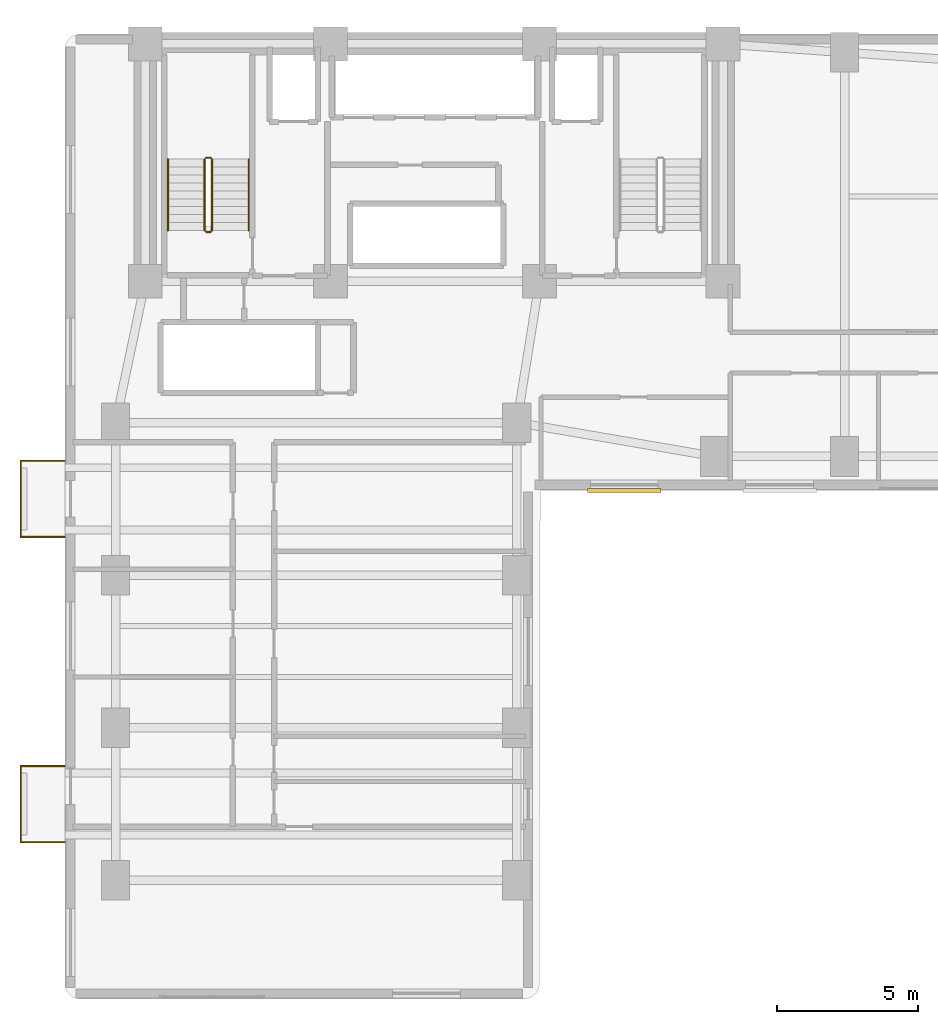
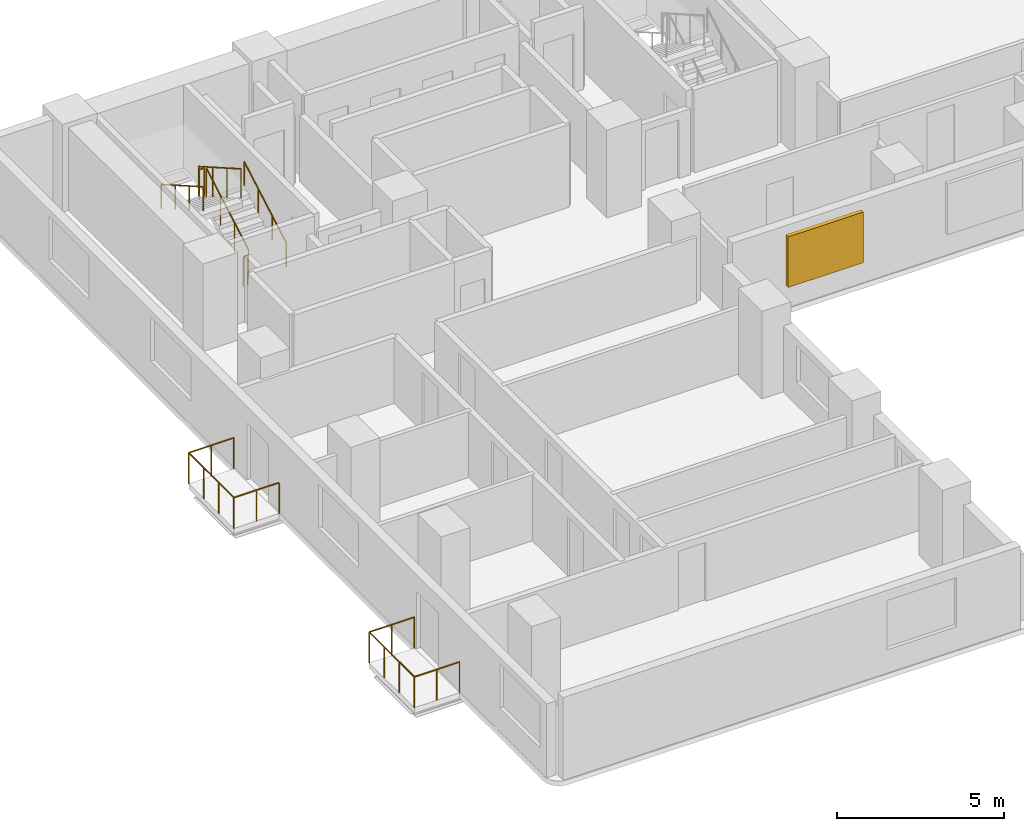
# One storey, part 14 of 17: 12 railings, 1 shading device.
"""IFC4 building model written with IfcOpenShell, lengths in metres."""

import ifcopenshell
import ifcopenshell.guid

model = None  # the IFC model being written
_history = None  # IfcOwnerHistory: only IFC2X3 demands one
_inside = {}  # id of a spatial element -> (the spatial element, [elements in it])
_under = {}  # id of a project, library or spatial element -> (it, [spatial elements below it])
_declared = {}  # id of a project -> (the project, [libraries it declares])
_typed = {}  # id of a type object -> (the type object, [elements of that type])
_made_of = {}  # id of a material, layer set ... -> (it, [elements and type objects made of it])


def new_model(schema):
    """Start an empty IFC model of exactly this schema.

    Asked for "IFC4X3", IfcOpenShell would pick the latest addendum, in which some entities
    have other attributes; the version numbers below select the first issue.
    IFC2X3 requires an IfcOwnerHistory on every rooted entity: one is made here for all.
    """
    global model, _history
    if schema == "IFC4X3":
        model = ifcopenshell.file(schema_version=(4, 3, 0, 0))
    else:
        model = ifcopenshell.file(schema=schema)
    _inside.clear()
    _under.clear()
    _declared.clear()
    _typed.clear()
    _made_of.clear()
    _history = None
    if model.schema == "IFC2X3":
        org = make("IfcOrganization", Name="unknown")
        user = make(
            "IfcPersonAndOrganization",
            ThePerson=make("IfcPerson", FamilyName="unknown"),
            TheOrganization=org,
        )
        app = make(
            "IfcApplication",
            ApplicationDeveloper=org,
            Version="unknown",
            ApplicationFullName="unknown",
            ApplicationIdentifier="unknown",
        )
        _history = make(
            "IfcOwnerHistory",
            OwningUser=user,
            OwningApplication=app,
            ChangeAction="ADDED",
            CreationDate=0,
        )
    return model


def make(cls, **values):
    """One entity of the class cls with the attributes given. An attribute that is None is left unset."""
    return model.create_entity(
        cls, **{name: value for name, value in values.items() if value is not None}
    )


def rooted(cls, **values):
    """An entity with a GlobalId (a new one), such as an element, a storey or a relation."""
    return make(cls, GlobalId=ifcopenshell.guid.new(), OwnerHistory=_history, **values)


def si_unit(unit_type, name, prefix=None):
    """IfcSIUnit, for example si_unit("LENGTHUNIT", "METRE", prefix="MILLI")."""
    return make("IfcSIUnit", UnitType=unit_type, Prefix=prefix, Name=name)


def assignment(units):
    """IfcUnitAssignment: the units of a project."""
    return None if units is None else make("IfcUnitAssignment", Units=units)


def point(xyz):
    """IfcCartesianPoint."""
    return None if xyz is None else make("IfcCartesianPoint", Coordinates=xyz)


def direction(xyz):
    """IfcDirection."""
    return None if xyz is None else make("IfcDirection", DirectionRatios=xyz)


def frame(location, z_axis=None, x_axis=None):
    """IfcAxis2Placement3D, a coordinate frame: its origin and axes. An axis left out is left unset."""
    return make(
        "IfcAxis2Placement3D",
        Location=point(location),
        Axis=direction(z_axis),
        RefDirection=direction(x_axis),
    )


def frame_2d(location, x_axis=None):
    """IfcAxis2Placement2D, a coordinate frame in the plane: its origin and x axis."""
    return make(
        "IfcAxis2Placement2D", Location=point(location), RefDirection=direction(x_axis)
    )


def origin():
    """The frame at (0, 0, 0) with its axes left unset."""
    return frame((0.0, 0.0, 0.0))


def origin_2d():
    """The frame at (0, 0) in the plane with its x axis left unset."""
    return frame_2d((0.0, 0.0))


def place(relative_to, where):
    """IfcLocalPlacement: puts the frame where relative to a parent placement (None: the world)."""
    return make(
        "IfcLocalPlacement", PlacementRelTo=relative_to, RelativePlacement=where
    )


def context(
    kind, dimensions, precision=None, world=None, true_north=None, identifier=None
):
    """IfcGeometricRepresentationContext, for example the 3D "Model" context."""
    return make(
        "IfcGeometricRepresentationContext",
        ContextIdentifier=identifier,
        ContextType=kind,
        CoordinateSpaceDimension=dimensions,
        Precision=precision,
        WorldCoordinateSystem=world,
        TrueNorth=true_north,
    )


def subcontext(parent, identifier, kind, view, scale=None):
    """IfcGeometricRepresentationSubContext, for example "Body" below "Model"."""
    return make(
        "IfcGeometricRepresentationSubContext",
        ContextIdentifier=identifier,
        ContextType=kind,
        ParentContext=parent,
        TargetScale=scale,
        TargetView=view,
    )


def project(units=None, contexts=None):
    """IfcProject with its units and contexts."""
    return rooted(
        "IfcProject",
        Name="project",
        RepresentationContexts=contexts,
        UnitsInContext=assignment(units),
    )


def spatial(cls, under=None, at=None, **own):
    """A site, building, storey or space (cls), placed at a placement, below another one or the project."""
    s = rooted(cls, ObjectPlacement=at, **own)
    if under is not None:
        _under.setdefault(under.id(), (under, []))[1].append(s)
    return s


def profile(cls, at=None, kind="AREA", **sizes):
    """A parametric profile (cls). Its sizes go by their IFC names, for example OverallWidth=200.0."""
    return make(cls, ProfileType=kind, Position=at, **sizes)


def rectangle(**sizes):
    """IfcRectangleProfileDef."""
    return profile("IfcRectangleProfileDef", **sizes)


def circle(**sizes):
    """IfcCircleProfileDef."""
    return profile("IfcCircleProfileDef", **sizes)


def extrude(swept, where, along, depth):
    """IfcExtrudedAreaSolid: the profile swept, set in the frame where, extruded along a direction by depth."""
    return make(
        "IfcExtrudedAreaSolid",
        SweptArea=swept,
        Position=where,
        ExtrudedDirection=direction(along),
        Depth=depth,
    )


def shape(context_of_items, identifier, shape_type, items):
    """IfcShapeRepresentation: the items that make up one representation, for example the "Body"."""
    return make(
        "IfcShapeRepresentation",
        ContextOfItems=context_of_items,
        RepresentationIdentifier=identifier,
        RepresentationType=shape_type,
        Items=items,
    )


def material(Name=None, Category=None):
    """IfcMaterial."""
    return make("IfcMaterial", Name=Name, Category=Category)


def layer(
    of_material, thickness, ventilated=None, Name=None, Category=None, Priority=None
):
    """IfcMaterialLayer: one layer of a wall or slab, of a material (None: an air gap)."""
    return make(
        "IfcMaterialLayer",
        Material=of_material,
        LayerThickness=thickness,
        IsVentilated=ventilated,
        Name=Name,
        Category=Category,
        Priority=Priority,
    )


def layer_set(layers, Name=None):
    """IfcMaterialLayerSet."""
    return make("IfcMaterialLayerSet", MaterialLayers=layers, LayerSetName=Name)


def made_of(thing, what):
    """Note that an element or type object is made of a material, layer set ...; save() writes the relation."""
    if what is not None:
        _made_of.setdefault(what.id(), (what, []))[1].append(thing)
    return thing


def type_object(cls, material=None, **own):
    """A type object (cls), such as IfcWallType, which elements share."""
    return made_of(rooted(cls, **own), material)


def element(
    cls,
    number,
    at=None,
    inside=None,
    cuts=None,
    type_object=None,
    material=None,
    context=None,
    identifier="Body",
    shape_type=None,
    held_by="IfcProductDefinitionShape",
    body=None,
    shapes=None,
    **own,
):
    """One element of the class cls, such as IfcWall. Its Tag is "e" and its number.

    at: its placement. inside: the storey or other place that contains it. cuts: it is an
    opening in that element (IfcRelVoidsElement). A single representation is given by context,
    identifier, shape_type and body (its items); several are given by shapes. held_by: the class
    of the entity that holds the representations. save() writes the other relations.
    """
    e = rooted(cls, Tag="e%d" % number, ObjectPlacement=at, **own)
    if body is not None:
        shapes = [shape(context, identifier, shape_type, body)]
    if shapes is not None:
        e.Representation = make(held_by, Representations=shapes)
    if inside is not None:
        _inside.setdefault(inside.id(), (inside, []))[1].append(e)
    if cuts is not None:
        rooted(
            "IfcRelVoidsElement", RelatingBuildingElement=cuts, RelatedOpeningElement=e
        )
    if type_object is not None:
        _typed.setdefault(type_object.id(), (type_object, []))[1].append(e)
    return made_of(e, material)


def aggregate(whole, parts):
    """IfcRelAggregates: a whole, such as a stair, and the parts it consists of."""
    return rooted("IfcRelAggregates", RelatingObject=whole, RelatedObjects=parts)


def save(model, path):
    """Write the relations noted so far, then the file.

    IfcRelAggregates (storeys below a building ...), IfcRelContainedInSpatialStructure (elements
    in a storey), IfcRelDefinesByType, IfcRelAssociatesMaterial and IfcRelDeclares: one each for
    every whole, place, type object, material and project.
    """
    for whole, parts in _under.values():
        aggregate(whole, parts)
    for where, things in _inside.values():
        rooted(
            "IfcRelContainedInSpatialStructure",
            RelatedElements=things,
            RelatingStructure=where,
        )
    for kind, things in _typed.values():
        rooted("IfcRelDefinesByType", RelatedObjects=things, RelatingType=kind)
    for what, things in _made_of.values():
        rooted("IfcRelAssociatesMaterial", RelatedObjects=things, RelatingMaterial=what)
    for by, libraries in _declared.values():
        rooted("IfcRelDeclares", RelatingContext=by, RelatedDefinitions=libraries)
    model.write(path)


model = new_model("IFC4")

# Units and contexts
model_context = context("Model", 3, precision=1e-05, world=origin(), true_north=direction((0.0, 1.0)))
body_context = subcontext(model_context, "Body", "Model", "MODEL_VIEW")
ifc_project = project(units=[si_unit("LENGTHUNIT", "METRE"), si_unit("AREAUNIT", "SQUARE_METRE"), si_unit("VOLUMEUNIT", "CUBIC_METRE"), si_unit("PLANEANGLEUNIT", "RADIAN"), si_unit("MASSUNIT", "GRAM", prefix="KILO")], contexts=[model_context])

# Site, building, storey
site_placement = place(None, origin())
site = spatial("IfcSite", under=ifc_project, at=site_placement, CompositionType="ELEMENT")
building_placement = place(site_placement, origin())
building = spatial("IfcBuilding", under=site, at=building_placement, Name="Kuzgunbayir Cultural Tower", CompositionType="ELEMENT")
storey_placement = place(building_placement, frame((0.0, 0.0, 50.0)))
storey = spatial("IfcBuildingStorey", under=building, at=storey_placement, Name="L13", CompositionType="ELEMENT", Elevation=50.0)

# Railings
ifc_material_1 = material(Name="Laminated Glass and Stainless Steel", Category="steel")
ifc_layer_1 = layer(ifc_material_1, 0.080078125)
ifc_layer_set_1 = layer_set([ifc_layer_1], Name="Laminated Glass and Stainless Steel")
railing_type_1 = type_object("IfcRailingType", Name="RLG-BAL-115", PredefinedType="BALUSTRADE", material=ifc_layer_set_1)
railing_1_placement = place(storey_placement, frame((3.60009765625, 13.949951171875, 0.0)))
element("IfcRailing", 1, at=railing_1_placement, inside=storey, type_object=railing_type_1, Name="L13 Balcony Guard BAL-L13-WA1 Segment 1", PredefinedType="BALUSTRADE", context=body_context, shape_type="SweptSolid", body=[
    extrude(circle(Radius=0.02392578125, at=origin_2d()), frame((0.0, 0.0, 1.1259765625), z_axis=(-1.0, 0.0, 0.0), x_axis=(0.0, -1.0, 0.0)), (0.0, 0.0, 1.0), 1.56005859375),
    extrude(circle(Radius=0.02099609375, at=origin_2d()), origin(), (0.0, 0.0, 1.0), 1.101806640625),
    extrude(circle(Radius=0.02099609375, at=origin_2d()), frame((-0.780029296875, 0.0, 0.0)), (0.0, 0.0, 1.0), 1.101806640625),
    extrude(circle(Radius=0.02099609375, at=origin_2d()), frame((-1.56005859375, 0.0, 0.0)), (0.0, 0.0, 1.0), 1.101806640625),
])
railing_2_placement = place(storey_placement, frame((2.0400390625, 13.949951171875, 0.0)))
element("IfcRailing", 2, at=railing_2_placement, inside=storey, type_object=railing_type_1, Name="L13 Balcony Guard BAL-L13-WA1 Segment 2", PredefinedType="BALUSTRADE", context=body_context, shape_type="SweptSolid", body=[
    extrude(circle(Radius=0.02392578125, at=origin_2d()), frame((0.0, 0.0, 1.1259765625), z_axis=(0.0, 1.0, 0.0), x_axis=(-1.0, 0.0, 0.0)), (0.0, 0.0, 1.0), 2.699951171875),
    extrude(circle(Radius=0.02099609375, at=origin_2d()), origin(), (0.0, 0.0, 1.0), 1.101806640625),
    extrude(circle(Radius=0.02099609375, at=origin_2d()), frame((0.0, 0.89990234375, 0.0)), (0.0, 0.0, 1.0), 1.101806640625),
    extrude(circle(Radius=0.02099609375, at=origin_2d()), frame((0.0, 1.800048828125, 0.0)), (0.0, 0.0, 1.0), 1.101806640625),
    extrude(circle(Radius=0.02099609375, at=origin_2d()), frame((0.0, 2.699951171875, 0.0)), (0.0, 0.0, 1.0), 1.101806640625),
])
railing_3_placement = place(storey_placement, frame((2.0400390625, 16.64990234375, 0.0)))
element("IfcRailing", 3, at=railing_3_placement, inside=storey, type_object=railing_type_1, Name="L13 Balcony Guard BAL-L13-WA1 Segment 3", PredefinedType="BALUSTRADE", context=body_context, shape_type="SweptSolid", body=[
    extrude(circle(Radius=0.02392578125, at=origin_2d()), frame((0.0, 0.0, 1.1259765625), z_axis=(1.0, 0.0, 0.0), x_axis=(0.0, 1.0, 0.0)), (0.0, 0.0, 1.0), 1.56005859375),
    extrude(circle(Radius=0.02099609375, at=origin_2d()), origin(), (0.0, 0.0, 1.0), 1.101806640625),
    extrude(circle(Radius=0.02099609375, at=origin_2d()), frame((0.780029296875, 0.0, 0.0)), (0.0, 0.0, 1.0), 1.101806640625),
    extrude(circle(Radius=0.02099609375, at=origin_2d()), frame((1.56005859375, 0.0, 0.0)), (0.0, 0.0, 1.0), 1.101806640625),
])
railing_4_placement = place(storey_placement, frame((3.60009765625, 24.75, 0.0)))
element("IfcRailing", 4, at=railing_4_placement, inside=storey, type_object=railing_type_1, Name="L13 Balcony Guard BAL-L13-WA3 Segment 1", PredefinedType="BALUSTRADE", context=body_context, shape_type="SweptSolid", body=[
    extrude(circle(Radius=0.02392578125, at=origin_2d()), frame((0.0, 0.0, 1.1259765625), z_axis=(-1.0, 0.0, 0.0), x_axis=(0.0, -1.0, 0.0)), (0.0, 0.0, 1.0), 1.56005859375),
    extrude(circle(Radius=0.02099609375, at=origin_2d()), origin(), (0.0, 0.0, 1.0), 1.101806640625),
    extrude(circle(Radius=0.02099609375, at=origin_2d()), frame((-0.780029296875, 0.0, 0.0)), (0.0, 0.0, 1.0), 1.101806640625),
    extrude(circle(Radius=0.02099609375, at=origin_2d()), frame((-1.56005859375, 0.0, 0.0)), (0.0, 0.0, 1.0), 1.101806640625),
])
railing_5_placement = place(storey_placement, frame((2.0400390625, 24.75, 0.0)))
element("IfcRailing", 5, at=railing_5_placement, inside=storey, type_object=railing_type_1, Name="L13 Balcony Guard BAL-L13-WA3 Segment 2", PredefinedType="BALUSTRADE", context=body_context, shape_type="SweptSolid", body=[
    extrude(circle(Radius=0.02392578125, at=origin_2d()), frame((0.0, 0.0, 1.1259765625), z_axis=(0.0, 1.0, 0.0), x_axis=(-1.0, 0.0, 0.0)), (0.0, 0.0, 1.0), 2.699951171875),
    extrude(circle(Radius=0.02099609375, at=origin_2d()), origin(), (0.0, 0.0, 1.0), 1.101806640625),
    extrude(circle(Radius=0.02099609375, at=origin_2d()), frame((0.0, 0.89990234375, 0.0)), (0.0, 0.0, 1.0), 1.101806640625),
    extrude(circle(Radius=0.02099609375, at=origin_2d()), frame((0.0, 1.800048828125, 0.0)), (0.0, 0.0, 1.0), 1.101806640625),
    extrude(circle(Radius=0.02099609375, at=origin_2d()), frame((0.0, 2.699951171875, 0.0)), (0.0, 0.0, 1.0), 1.101806640625),
])
railing_6_placement = place(storey_placement, frame((2.0400390625, 27.449951171875, 0.0)))
element("IfcRailing", 6, at=railing_6_placement, inside=storey, type_object=railing_type_1, Name="L13 Balcony Guard BAL-L13-WA3 Segment 3", PredefinedType="BALUSTRADE", context=body_context, shape_type="SweptSolid", body=[
    extrude(circle(Radius=0.02392578125, at=origin_2d()), frame((0.0, 0.0, 1.1259765625), z_axis=(1.0, 0.0, 0.0), x_axis=(0.0, 1.0, 0.0)), (0.0, 0.0, 1.0), 1.56005859375),
    extrude(circle(Radius=0.02099609375, at=origin_2d()), origin(), (0.0, 0.0, 1.0), 1.101806640625),
    extrude(circle(Radius=0.02099609375, at=origin_2d()), frame((0.780029296875, 0.0, 0.0)), (0.0, 0.0, 1.0), 1.101806640625),
    extrude(circle(Radius=0.02099609375, at=origin_2d()), frame((1.56005859375, 0.0, 0.0)), (0.0, 0.0, 1.0), 1.101806640625),
])
ifc_material_2 = material(Name="Brushed Stainless Steel", Category="steel")
ifc_layer_2 = layer(ifc_material_2, 0.050048828125)
ifc_layer_set_2 = layer_set([ifc_layer_2], Name="Brushed Stainless Steel")
railing_type_2 = type_object("IfcRailingType", Name="RLG-STAIR-HANDRAIL", PredefinedType="HANDRAIL", material=ifc_layer_set_2)
railing_7_placement = place(storey_placement, frame((10.110107421875, 35.60009765625, 0.159912109375)))
element("IfcRailing", 7, at=railing_7_placement, inside=storey, type_object=railing_type_2, Name="L13 ST-1 stair handrail 1", PredefinedType="HANDRAIL", context=body_context, shape_type="SweptSolid", body=[
    extrude(circle(Radius=0.02392578125, at=origin_2d()), frame((0.0, 0.0, 0.8759765625), z_axis=(0.0, 0.868217259934, 0.496184229447), x_axis=(-1.0, 0.0, 0.0)), (0.0, 0.0, 1.0), 2.902587890625),
    extrude(circle(Radius=0.02099609375, at=origin_2d()), origin(), (0.0, 0.0, 1.0), 0.851806640625),
    extrude(circle(Radius=0.02099609375, at=origin_2d()), frame((0.0, 0.840087890625, 0.47998046875)), (0.0, 0.0, 1.0), 0.851806640625),
    extrude(circle(Radius=0.02099609375, at=origin_2d()), frame((0.0, 1.679931640625, 0.960205078125)), (0.0, 0.0, 1.0), 0.851806640625),
    extrude(circle(Radius=0.02099609375, at=origin_2d()), frame((0.0, 2.52001953125, 1.440185546875)), (0.0, 0.0, 1.0), 0.851806640625),
])
railing_8_placement = place(storey_placement, frame((7.25, 38.1201171875, 1.760009765625)))
element("IfcRailing", 8, at=railing_8_placement, inside=storey, type_object=railing_type_2, Name="L13 ST-1 stair handrail 2", PredefinedType="HANDRAIL", context=body_context, shape_type="SweptSolid", body=[
    extrude(circle(Radius=0.02392578125, at=origin_2d()), frame((0.0, 0.0, 0.8759765625), z_axis=(0.0, -0.868253494771, 0.496120820787), x_axis=(1.0, 0.0, 0.0)), (0.0, 0.0, 1.0), 2.90234375),
    extrude(circle(Radius=0.02099609375, at=origin_2d()), origin(), (0.0, 0.0, 1.0), 0.851806640625),
    extrude(circle(Radius=0.02099609375, at=origin_2d()), frame((0.0, -0.840087890625, 0.47998046875)), (0.0, 0.0, 1.0), 0.851806640625),
    extrude(circle(Radius=0.02099609375, at=origin_2d()), frame((0.0, -1.679931640625, 0.9599609375)), (0.0, 0.0, 1.0), 0.851806640625),
    extrude(circle(Radius=0.02099609375, at=origin_2d()), frame((0.0, -2.52001953125, 1.43994140625)), (0.0, 0.0, 1.0), 0.851806640625),
])
ifc_material_3 = material(Name="Painted Steel Balustrade", Category="steel")
ifc_layer_3 = layer(ifc_material_3, 0.06005859375)
ifc_layer_set_3 = layer_set([ifc_layer_3], Name="Painted Steel Balustrade")
railing_type_3 = type_object("IfcRailingType", Name="RLG-WELL-GUARD", PredefinedType="GUARDRAIL", material=ifc_layer_set_3)
railing_9_placement = place(storey_placement, frame((8.81005859375, 35.60009765625, 0.159912109375)))
element("IfcRailing", 9, at=railing_9_placement, inside=storey, type_object=railing_type_3, Name="L13 ST-1 stair guard 1", PredefinedType="GUARDRAIL", context=body_context, shape_type="SweptSolid", body=[
    extrude(circle(Radius=0.02392578125, at=origin_2d()), frame((0.0, 0.0, 1.076171875), z_axis=(0.0, 0.868217259934, 0.496184229447), x_axis=(-1.0, 0.0, 0.0)), (0.0, 0.0, 1.0), 2.902587890625),
    extrude(circle(Radius=0.02099609375, at=origin_2d()), origin(), (0.0, 0.0, 1.0), 1.052001953125),
    extrude(circle(Radius=0.02099609375, at=origin_2d()), frame((0.0, 0.840087890625, 0.47998046875)), (0.0, 0.0, 1.0), 1.052001953125),
    extrude(circle(Radius=0.02099609375, at=origin_2d()), frame((0.0, 1.679931640625, 0.960205078125)), (0.0, 0.0, 1.0), 1.052001953125),
    extrude(circle(Radius=0.02099609375, at=origin_2d()), frame((0.0, 2.52001953125, 1.440185546875)), (0.0, 0.0, 1.0), 1.052001953125),
])
railing_10_placement = place(storey_placement, frame((8.760009765625, 38.169921875, 1.60009765625)))
element("IfcRailing", 10, at=railing_10_placement, inside=storey, type_object=railing_type_3, Name="L13 ST-1 stair guard 2", PredefinedType="GUARDRAIL", context=body_context, shape_type="SweptSolid", body=[
    extrude(circle(Radius=0.02392578125, at=origin_2d()), frame((0.0, 0.0, 1.076171875), z_axis=(-1.0, 0.0, 0.0), x_axis=(0.0, -1.0, 0.0)), (0.0, 0.0, 1.0), 0.159912109375),
    extrude(circle(Radius=0.02099609375, at=origin_2d()), origin(), (0.0, 0.0, 1.0), 1.052001953125),
    extrude(circle(Radius=0.02099609375, at=origin_2d()), frame((-0.159912109375, 0.0, 0.0)), (0.0, 0.0, 1.0), 1.052001953125),
])
railing_11_placement = place(storey_placement, frame((8.550048828125, 38.1201171875, 1.760009765625)))
element("IfcRailing", 11, at=railing_11_placement, inside=storey, type_object=railing_type_3, Name="L13 ST-1 stair guard 3", PredefinedType="GUARDRAIL", context=body_context, shape_type="SweptSolid", body=[
    extrude(circle(Radius=0.02392578125, at=origin_2d()), frame((0.0, 0.0, 1.076171875), z_axis=(0.0, -0.868253494771, 0.496120820787), x_axis=(1.0, 0.0, 0.0)), (0.0, 0.0, 1.0), 2.90234375),
    extrude(circle(Radius=0.02099609375, at=origin_2d()), origin(), (0.0, 0.0, 1.0), 1.052001953125),
    extrude(circle(Radius=0.02099609375, at=origin_2d()), frame((0.0, -0.840087890625, 0.47998046875)), (0.0, 0.0, 1.0), 1.052001953125),
    extrude(circle(Radius=0.02099609375, at=origin_2d()), frame((0.0, -1.679931640625, 0.9599609375)), (0.0, 0.0, 1.0), 1.052001953125),
    extrude(circle(Radius=0.02099609375, at=origin_2d()), frame((0.0, -2.52001953125, 1.43994140625)), (0.0, 0.0, 1.0), 1.052001953125),
])
railing_12_placement = place(storey_placement, frame((8.760009765625, 35.550048828125, 0.0)))
element("IfcRailing", 12, at=railing_12_placement, inside=storey, type_object=railing_type_3, Name="L13 ST-1 stair guard 4", PredefinedType="GUARDRAIL", context=body_context, shape_type="SweptSolid", body=[
    extrude(circle(Radius=0.02392578125, at=origin_2d()), frame((0.0, 0.0, 1.076171875), z_axis=(-1.0, 0.0, 0.0), x_axis=(0.0, -1.0, 0.0)), (0.0, 0.0, 1.0), 0.159912109375),
    extrude(circle(Radius=0.02099609375, at=origin_2d()), origin(), (0.0, 0.0, 1.0), 1.052001953125),
    extrude(circle(Radius=0.02099609375, at=origin_2d()), frame((-0.159912109375, 0.0, 0.0)), (0.0, 0.0, 1.0), 1.052001953125),
])

# Shading device
ifc_material_4 = material(Name="Perforated Bronze-Anodised Aluminium", Category="aluminium")
shading_device_type = type_object("IfcShadingDeviceType", Name="SHD-SOLAR-BRONZE", PredefinedType="JALOUSIE", material=ifc_material_4)
shading_device_placement = place(storey_placement, frame((23.39990234375, 26.389892578125, 0.824951171875), z_axis=(0.0, 0.0, 1.0), x_axis=(1.0, 0.0, 0.0)))
element("IfcShadingDevice", 13, at=shading_device_placement, inside=storey, type_object=shading_device_type, Name="L13 Solar Screen WBS8", PredefinedType="JALOUSIE", context=body_context, shape_type="SweptSolid", body=[
    extrude(rectangle(XDim=2.60009765625, YDim=0.139892578125, at=origin_2d()), origin(), (0.0, 0.0, 1.0), 1.85009765625),
])

save(model, "model.ifc")
